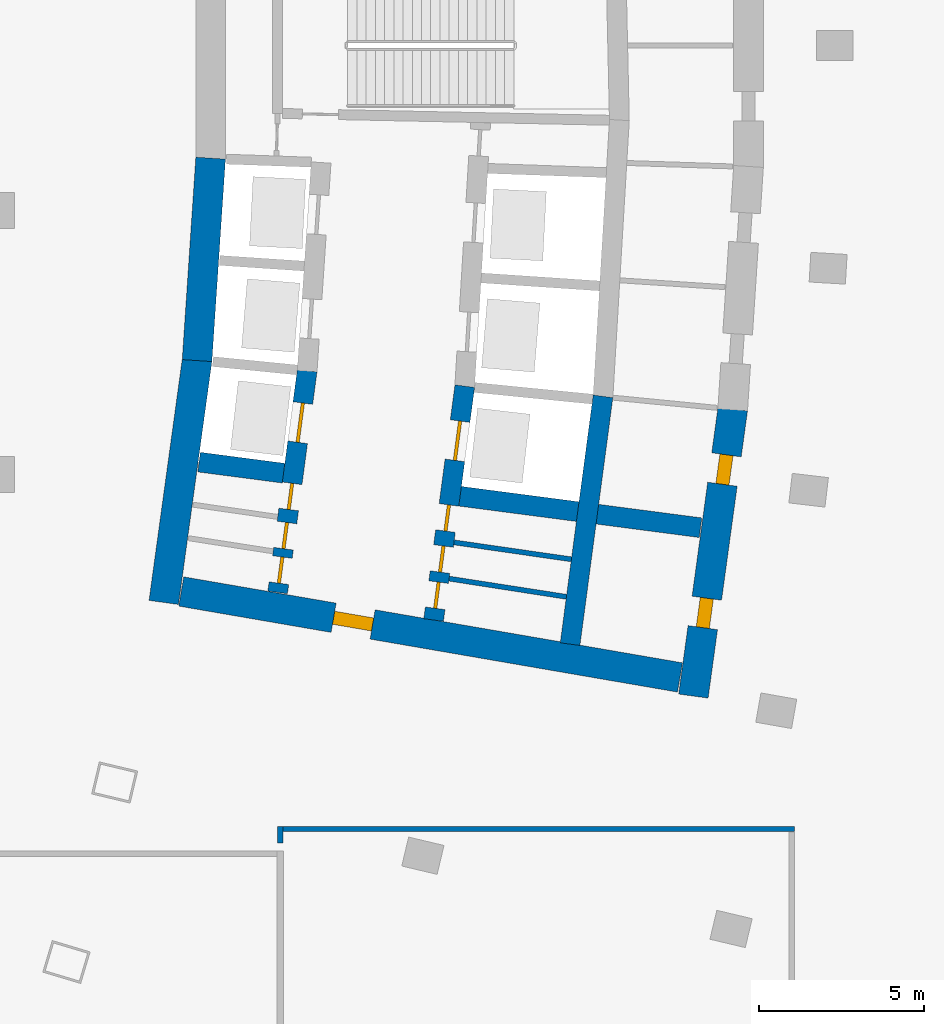
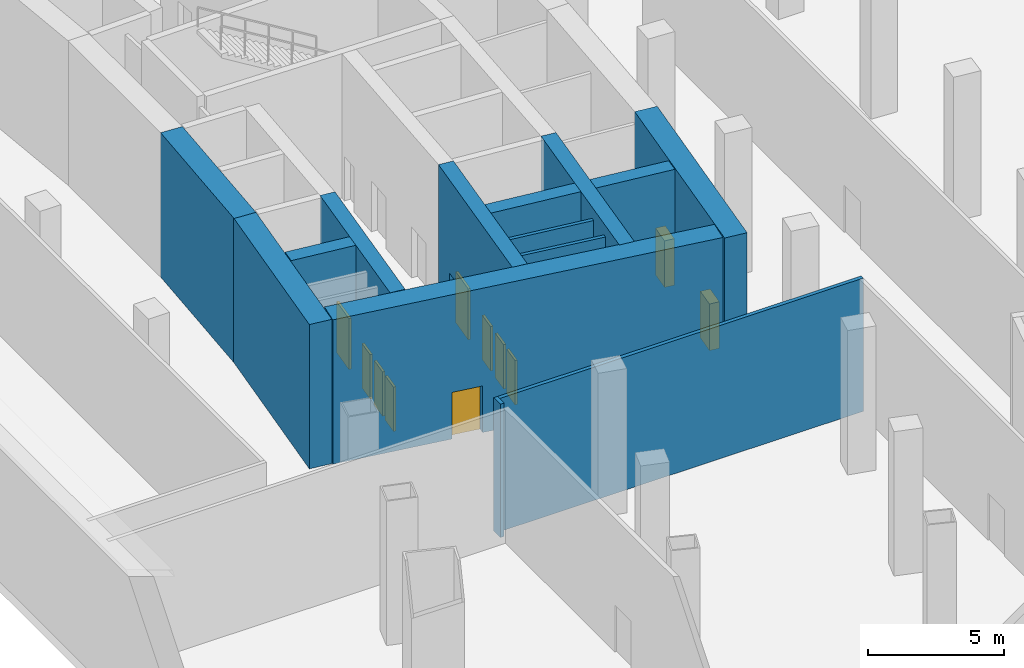
# One storey, part 3 of 16: 14 walls, 11 doors, 11 openings.
"""IFC4 building model written with IfcOpenShell, lengths in metres."""

from ifc_helpers import new_model, si_unit, direction, frame, frame_2d, origin, place, context, subcontext, project, spatial, rectangle, extrude, material, layer, layer_set, type_object, element, fill, save


model = new_model("IFC4")

# Units and contexts
model_context = context("Model", 3, precision=1e-05, world=origin(), true_north=direction((0.0, 1.0)))
body_context = subcontext(model_context, "Body", "Model", "MODEL_VIEW")
ifc_project = project(units=[si_unit("LENGTHUNIT", "METRE"), si_unit("AREAUNIT", "SQUARE_METRE"), si_unit("VOLUMEUNIT", "CUBIC_METRE"), si_unit("PLANEANGLEUNIT", "RADIAN"), si_unit("MASSUNIT", "GRAM", prefix="KILO")], contexts=[model_context])

# Site, building, storey
site_placement = place(None, origin())
site = spatial("IfcSite", under=ifc_project, at=site_placement, CompositionType="ELEMENT")
building_placement = place(site_placement, origin())
building = spatial("IfcBuilding", under=site, at=building_placement, Name="Alderwake Tower", CompositionType="ELEMENT")
storey_placement = place(building_placement, frame((0.0, 0.0, -6.5)))
storey = spatial("IfcBuildingStorey", under=building, at=storey_placement, Name="B1", CompositionType="ELEMENT", Elevation=-6.5)

# Walls
ifc_material_1 = material(Name="Gypsum shaft wall system, rated")
ifc_layer_1 = layer(ifc_material_1, 0.14990234375)
ifc_layer_set_1 = layer_set([ifc_layer_1], Name="Core room partition 150")
wall_type_1 = type_object("IfcWallType", Name="Core room partition 150", PredefinedType="PARTITIONING", material=ifc_layer_set_1)
wall_1_placement = place(storey_placement, frame((24.117431640625, 44.842041015625, 0.0), z_axis=(0.0, 0.0, 1.0), x_axis=(0.988173903359, -0.153337329832, 0.0)))
element("IfcWall", 1, at=wall_1_placement, inside=storey, type_object=wall_type_1, Name="CW/B1/PR-161_+86", PredefinedType="PARTITIONING", context=body_context, shape_type="SweptSolid", body=[
    extrude(rectangle(XDim=3.5966796875, YDim=0.14990234375, at=frame_2d((1.79833984375, 0.0))), origin(), (0.0, 0.0, 1.0), 6.0),
])
wall_2_placement = place(storey_placement, frame((24.263916015625, 45.940673828125, 0.0), z_axis=(0.0, 0.0, 1.0), x_axis=(0.989732412963, -0.142932679013, 0.0)))
element("IfcWall", 2, at=wall_2_placement, inside=storey, type_object=wall_type_1, Name="CW/B1/PR-150_+86", PredefinedType="PARTITIONING", context=body_context, shape_type="SweptSolid", body=[
    extrude(rectangle(XDim=3.595458984375, YDim=0.14990234375, at=frame_2d((1.7978515625, 0.0))), origin(), (0.0, 0.0, 1.0), 6.0),
])
ifc_material_2 = material(Name="Concrete C70/85", Category="concrete")
ifc_layer_2 = layer(ifc_material_2, 0.89990234375)
ifc_layer_set_2 = layer_set([ifc_layer_2], Name="Core wall outer 900 C70-85")
wall_type_2 = type_object("IfcWallType", Name="Core wall outer 900 C70-85", PredefinedType="SHEAR", material=ifc_layer_set_2)
wall_3_placement = place(storey_placement, frame((15.46923828125, 44.1201171875, 0.0), z_axis=(0.0, 0.0, 1.0), x_axis=(0.136337234661, 0.990662484626, 0.0)))
element("IfcWall", 3, at=wall_3_placement, inside=storey, type_object=wall_type_2, Name="Core wall CW.042", PredefinedType="SHEAR", context=body_context, shape_type="SweptSolid", body=[
    extrude(rectangle(XDim=7.431396484375, YDim=0.89990234375, at=frame_2d((3.7158203125, 0.0))), origin(), (0.0, 0.0, 1.0), 6.5),
])
wall_4_placement = place(storey_placement, frame((16.47900390625, 51.449951171875, 0.0), z_axis=(0.0, 0.0, 1.0), x_axis=(0.06689316208, 0.997760143956, 0.0)))
element("IfcWall", 4, at=wall_4_placement, inside=storey, type_object=wall_type_2, Name="Core wall CW.041", PredefinedType="SHEAR", context=body_context, shape_type="SweptSolid", body=[
    extrude(rectangle(XDim=6.149658203125, YDim=0.89990234375, at=frame_2d((3.07470703125, 0.0))), origin(), (0.0, 0.0, 1.0), 6.5),
])

# Wall, openings, doors
wall_5_placement = place(storey_placement, frame((32.7138671875, 49.9873046875, 0.0), z_axis=(0.0, 0.0, 1.0), x_axis=(-0.135844728876, -0.990730139663, 0.0)))
wall_5 = element("IfcWall", 5, at=wall_5_placement, inside=storey, type_object=wall_type_2, Name="Core wall CW.012", PredefinedType="SHEAR", context=body_context, shape_type="SweptSolid", body=[
    extrude(rectangle(XDim=8.78662109375, YDim=0.89990234375, at=frame_2d((4.393310546875, 0.0))), origin(), (0.0, 0.0, 1.0), 6.5),
])
opening_1_placement = place(wall_5_placement, frame((1.40673828125, 0.0, 0.0)))
opening_1 = element("IfcOpeningElement", 6, at=opening_1_placement, cuts=wall_5, Name="Opening C050", PredefinedType="OPENING", context=body_context, shape_type="SweptSolid", body=[
    extrude(rectangle(XDim=0.89990234375, YDim=2.10009765625, at=frame_2d((0.449951171875, 1.050048828125))), frame((0.0, 0.4599609375, 0.0), z_axis=(0.0, -1.0, 0.0), x_axis=(1.0, 0.0, 0.0)), (0.0, 0.0, 1.0), 0.919921875),
])
opening_2_placement = place(wall_5_placement, frame((5.79248046875, 0.0, 0.0)))
opening_2 = element("IfcOpeningElement", 7, at=opening_2_placement, cuts=wall_5, Name="Opening C061", PredefinedType="OPENING", context=body_context, shape_type="SweptSolid", body=[
    extrude(rectangle(XDim=0.89990234375, YDim=2.10009765625, at=frame_2d((0.449951171875, 1.050048828125))), frame((0.0, 0.4599609375, 0.0), z_axis=(0.0, -1.0, 0.0), x_axis=(1.0, 0.0, 0.0)), (0.0, 0.0, 1.0), 0.919921875),
])
ifc_material_3 = material(Name="Painted steel leaf", Category="steel")
door_type_1 = type_object("IfcDoorType", Name="Core room door 900", OperationType="SINGLE_SWING_LEFT", PredefinedType="DOOR", material=ifc_material_3)
door_1_placement = place(opening_1_placement, origin())
door_1 = element("IfcDoor", 8, at=door_1_placement, inside=storey, type_object=door_type_1, Name="Room door", OperationType="SINGLE_SWING_RIGHT", OverallHeight=2.10009765625, OverallWidth=0.89990234375, PredefinedType="DOOR", context=body_context, shape_type="SweptSolid", body=[
    extrude(rectangle(XDim=0.89990234375, YDim=2.10009765625, at=frame_2d((0.449951171875, 1.050048828125))), frame((0.0, 0.199951171875, 0.0), z_axis=(0.0, -1.0, 0.0), x_axis=(1.0, 0.0, 0.0)), (0.0, 0.0, 1.0), 0.39990234375),
])
fill(opening_1, door_1)
door_2_placement = place(opening_2_placement, origin())
door_2 = element("IfcDoor", 9, at=door_2_placement, inside=storey, type_object=door_type_1, Name="Room door", OperationType="SINGLE_SWING_LEFT", OverallHeight=2.10009765625, OverallWidth=0.89990234375, PredefinedType="DOOR", context=body_context, shape_type="SweptSolid", body=[
    extrude(rectangle(XDim=0.89990234375, YDim=2.10009765625, at=frame_2d((0.449951171875, 1.050048828125))), frame((0.0, 0.199951171875, 0.0), z_axis=(0.0, -1.0, 0.0), x_axis=(1.0, 0.0, 0.0)), (0.0, 0.0, 1.0), 0.39990234375),
])
fill(opening_2, door_2)

# Wall, opening, door
wall_6_placement = place(storey_placement, frame((31.11328125, 41.846923828125, 0.0), z_axis=(0.0, 0.0, 1.0), x_axis=(-0.985466640605, 0.169869067972, 0.0)))
wall_6 = element("IfcWall", 10, at=wall_6_placement, inside=storey, type_object=wall_type_2, Name="Core wall CW.070", PredefinedType="SHEAR", context=body_context, shape_type="SweptSolid", body=[
    extrude(rectangle(XDim=15.336669921875, YDim=0.89990234375, at=frame_2d((7.66845703125, 0.0))), origin(), (0.0, 0.0, 1.0), 6.5),
])
opening_3_placement = place(wall_6_placement, frame((9.451904296875, 0.0, 0.0)))
opening_3 = element("IfcOpeningElement", 11, at=opening_3_placement, cuts=wall_6, Name="Opening C003", PredefinedType="OPENING", context=body_context, shape_type="SweptSolid", body=[
    extrude(rectangle(XDim=1.199951171875, YDim=2.10009765625, at=frame_2d((0.60009765625, 1.050048828125))), frame((0.0, 0.4599609375, 0.0), z_axis=(0.0, -1.0, 0.0), x_axis=(1.0, 0.0, 0.0)), (0.0, 0.0, 1.0), 0.919921875),
])
ifc_material_4 = material(Name="Steel-framed fire door leaf", Category="steel")
door_type_2 = type_object("IfcDoorType", Name="Core lobby exit door 1200 fire-rated", OperationType="SINGLE_SWING_LEFT", PredefinedType="DOOR", material=ifc_material_4)
door_3_placement = place(opening_3_placement, origin())
door_3 = element("IfcDoor", 12, at=door_3_placement, inside=storey, type_object=door_type_2, Name="Lobby door", OperationType="SINGLE_SWING_LEFT", OverallHeight=2.10009765625, OverallWidth=1.199951171875, PredefinedType="DOOR", context=body_context, shape_type="SweptSolid", body=[
    extrude(rectangle(XDim=1.199951171875, YDim=2.10009765625, at=frame_2d((0.60009765625, 1.050048828125))), frame((0.0, 0.199951171875, 0.0), z_axis=(0.0, -1.0, 0.0), x_axis=(1.0, 0.0, 0.0)), (0.0, 0.0, 1.0), 0.39990234375),
])
fill(opening_3, door_3)

# Wall, openings, doors
ifc_material_5 = material(Name="Concrete C70/85", Category="concrete")
ifc_layer_3 = layer(ifc_material_5, 0.60009765625)
ifc_layer_set_3 = layer_set([ifc_layer_3], Name="Core wall spine 600 C70-85")
wall_type_3 = type_object("IfcWallType", Name="Core wall spine 600 C70-85", PredefinedType="SHEAR", material=ifc_layer_set_3)
wall_7_placement = place(storey_placement, frame((19.815185546875, 51.14697265625, 0.0), z_axis=(0.0, 0.0, 1.0), x_axis=(-0.131854836214, -0.991269036219, 0.0)))
wall_7 = element("IfcWall", 13, at=wall_7_placement, inside=storey, type_object=wall_type_3, Name="Core wall CW.033", PredefinedType="SHEAR", context=body_context, shape_type="SweptSolid", body=[
    extrude(rectangle(XDim=6.782470703125, YDim=0.60009765625, at=frame_2d((3.39111328125, 0.0))), origin(), (0.0, 0.0, 1.0), 6.5),
])
opening_4_placement = place(wall_7_placement, frame((0.9921875, 0.0, 0.0)))
opening_4 = element("IfcOpeningElement", 14, at=opening_4_placement, cuts=wall_7, Name="Opening LD-LP1", PredefinedType="OPENING", context=body_context, shape_type="SweptSolid", body=[
    extrude(rectangle(XDim=1.199951171875, YDim=2.300048828125, at=frame_2d((0.60009765625, 1.14990234375))), frame((0.0, 0.31005859375, 0.0), z_axis=(0.0, -1.0, 0.0), x_axis=(1.0, 0.0, 0.0)), (0.0, 0.0, 1.0), 0.6201171875),
])
opening_5_placement = place(wall_7_placement, frame((5.699951171875, 0.0, 0.0)))
opening_5 = element("IfcOpeningElement", 15, at=opening_5_placement, cuts=wall_7, Name="Opening C009", PredefinedType="OPENING", context=body_context, shape_type="SweptSolid", body=[
    extrude(rectangle(XDim=0.800048828125, YDim=2.0, at=frame_2d((0.39990234375, 1.0))), frame((0.0, 0.31005859375, 0.0), z_axis=(0.0, -1.0, 0.0), x_axis=(1.0, 0.0, 0.0)), (0.0, 0.0, 1.0), 0.6201171875),
])
opening_6_placement = place(wall_7_placement, frame((4.64501953125, 0.0, 0.0)))
opening_6 = element("IfcOpeningElement", 16, at=opening_6_placement, cuts=wall_7, Name="Opening C011", PredefinedType="OPENING", context=body_context, shape_type="SweptSolid", body=[
    extrude(rectangle(XDim=0.800048828125, YDim=2.0, at=frame_2d((0.39990234375, 1.0))), frame((0.0, 0.31005859375, 0.0), z_axis=(0.0, -1.0, 0.0), x_axis=(1.0, 0.0, 0.0)), (0.0, 0.0, 1.0), 0.6201171875),
])
opening_7_placement = place(wall_7_placement, frame((3.4462890625, 0.0, 0.0)))
opening_7 = element("IfcOpeningElement", 17, at=opening_7_placement, cuts=wall_7, Name="Opening C012", PredefinedType="OPENING", context=body_context, shape_type="SweptSolid", body=[
    extrude(rectangle(XDim=0.800048828125, YDim=2.0, at=frame_2d((0.39990234375, 1.0))), frame((0.0, 0.31005859375, 0.0), z_axis=(0.0, -1.0, 0.0), x_axis=(1.0, 0.0, 0.0)), (0.0, 0.0, 1.0), 0.6201171875),
])
ifc_material_6 = material(Name="Stainless steel sliding leaf", Category="steel")
door_type_3 = type_object("IfcDoorType", Name="Lift landing door 1200", OperationType="SLIDING_TO_LEFT", PredefinedType="DOOR", material=ifc_material_6)
door_4_placement = place(opening_4_placement, origin())
door_4 = element("IfcDoor", 18, at=door_4_placement, inside=storey, type_object=door_type_3, Name="Lift landing door LP1", OperationType="SLIDING_TO_LEFT", OverallHeight=2.300048828125, OverallWidth=1.199951171875, PredefinedType="DOOR", context=body_context, shape_type="SweptSolid", body=[
    extrude(rectangle(XDim=1.199951171875, YDim=2.300048828125, at=frame_2d((0.60009765625, 1.14990234375))), frame((0.0, 0.050048828125, 0.0), z_axis=(0.0, -1.0, 0.0), x_axis=(1.0, 0.0, 0.0)), (0.0, 0.0, 1.0), 0.10009765625),
])
fill(opening_4, door_4)
ifc_material_7 = material(Name="Painted steel leaf, rated", Category="steel")
door_type_4 = type_object("IfcDoorType", Name="Riser access door 800", OperationType="SINGLE_SWING_LEFT", PredefinedType="DOOR", material=ifc_material_7)
door_5_placement = place(opening_5_placement, origin())
door_5 = element("IfcDoor", 19, at=door_5_placement, inside=storey, type_object=door_type_4, Name="Riser access door", OperationType="SINGLE_SWING_LEFT", OverallHeight=2.0, OverallWidth=0.800048828125, PredefinedType="DOOR", context=body_context, shape_type="SweptSolid", body=[
    extrude(rectangle(XDim=0.800048828125, YDim=2.0, at=frame_2d((0.39990234375, 1.0))), frame((0.0, 0.050048828125, 0.0), z_axis=(0.0, -1.0, 0.0), x_axis=(1.0, 0.0, 0.0)), (0.0, 0.0, 1.0), 0.10009765625),
])
fill(opening_5, door_5)
door_6_placement = place(opening_6_placement, origin())
door_6 = element("IfcDoor", 20, at=door_6_placement, inside=storey, type_object=door_type_4, Name="Riser access door", OperationType="SINGLE_SWING_RIGHT", OverallHeight=2.0, OverallWidth=0.800048828125, PredefinedType="DOOR", context=body_context, shape_type="SweptSolid", body=[
    extrude(rectangle(XDim=0.800048828125, YDim=2.0, at=frame_2d((0.39990234375, 1.0))), frame((0.0, 0.050048828125, 0.0), z_axis=(0.0, -1.0, 0.0), x_axis=(1.0, 0.0, 0.0)), (0.0, 0.0, 1.0), 0.10009765625),
])
fill(opening_6, door_6)
door_7_placement = place(opening_7_placement, origin())
door_7 = element("IfcDoor", 21, at=door_7_placement, inside=storey, type_object=door_type_4, Name="Riser access door", OperationType="SINGLE_SWING_LEFT", OverallHeight=2.0, OverallWidth=0.800048828125, PredefinedType="DOOR", context=body_context, shape_type="SweptSolid", body=[
    extrude(rectangle(XDim=0.800048828125, YDim=2.0, at=frame_2d((0.39990234375, 1.0))), frame((0.0, 0.050048828125, 0.0), z_axis=(0.0, -1.0, 0.0), x_axis=(1.0, 0.0, 0.0)), (0.0, 0.0, 1.0), 0.10009765625),
])
fill(opening_7, door_7)

wall_8_placement = place(storey_placement, frame((23.647705078125, 43.588134765625, 0.0), z_axis=(0.0, 0.0, 1.0), x_axis=(0.132069785658, 0.991240420744, 0.0)))
wall_8 = element("IfcWall", 22, at=wall_8_placement, inside=storey, type_object=wall_type_3, Name="Core wall CW.047", PredefinedType="SHEAR", context=body_context, shape_type="SweptSolid", body=[
    extrude(rectangle(XDim=7.150390625, YDim=0.60009765625, at=frame_2d((3.5751953125, 0.0))), origin(), (0.0, 0.0, 1.0), 6.5),
])
opening_8_placement = place(wall_8_placement, frame((4.88134765625, 0.0, 0.0)))
opening_8 = element("IfcOpeningElement", 23, at=opening_8_placement, cuts=wall_8, Name="Opening LD-LP4", PredefinedType="OPENING", context=body_context, shape_type="SweptSolid", body=[
    extrude(rectangle(XDim=1.199951171875, YDim=2.300048828125, at=frame_2d((0.60009765625, 1.14990234375))), frame((0.0, 0.31005859375, 0.0), z_axis=(0.0, -1.0, 0.0), x_axis=(1.0, 0.0, 0.0)), (0.0, 0.0, 1.0), 0.6201171875),
])
opening_9_placement = place(wall_8_placement, frame((0.35791015625, 0.0, 0.0)))
opening_9 = element("IfcOpeningElement", 24, at=opening_9_placement, cuts=wall_8, Name="Opening C016", PredefinedType="OPENING", context=body_context, shape_type="SweptSolid", body=[
    extrude(rectangle(XDim=0.800048828125, YDim=2.0, at=frame_2d((0.39990234375, 1.0))), frame((0.0, 0.31005859375, 0.0), z_axis=(0.0, -1.0, 0.0), x_axis=(1.0, 0.0, 0.0)), (0.0, 0.0, 1.0), 0.6201171875),
])
opening_10_placement = place(wall_8_placement, frame((1.46337890625, 0.0, 0.0)))
opening_10 = element("IfcOpeningElement", 25, at=opening_10_placement, cuts=wall_8, Name="Opening C018", PredefinedType="OPENING", context=body_context, shape_type="SweptSolid", body=[
    extrude(rectangle(XDim=0.800048828125, YDim=2.0, at=frame_2d((0.39990234375, 1.0))), frame((0.0, 0.31005859375, 0.0), z_axis=(0.0, -1.0, 0.0), x_axis=(1.0, 0.0, 0.0)), (0.0, 0.0, 1.0), 0.6201171875),
])
opening_11_placement = place(wall_8_placement, frame((2.719482421875, 0.0, 0.0)))
opening_11 = element("IfcOpeningElement", 26, at=opening_11_placement, cuts=wall_8, Name="Opening C019", PredefinedType="OPENING", context=body_context, shape_type="SweptSolid", body=[
    extrude(rectangle(XDim=0.800048828125, YDim=2.0, at=frame_2d((0.39990234375, 1.0))), frame((0.0, 0.31005859375, 0.0), z_axis=(0.0, -1.0, 0.0), x_axis=(1.0, 0.0, 0.0)), (0.0, 0.0, 1.0), 0.6201171875),
])
door_8_placement = place(opening_8_placement, origin())
door_8 = element("IfcDoor", 27, at=door_8_placement, inside=storey, type_object=door_type_3, Name="Lift landing door LP4", OperationType="SLIDING_TO_LEFT", OverallHeight=2.300048828125, OverallWidth=1.199951171875, PredefinedType="DOOR", context=body_context, shape_type="SweptSolid", body=[
    extrude(rectangle(XDim=1.199951171875, YDim=2.300048828125, at=frame_2d((0.60009765625, 1.14990234375))), frame((0.0, 0.050048828125, 0.0), z_axis=(0.0, -1.0, 0.0), x_axis=(1.0, 0.0, 0.0)), (0.0, 0.0, 1.0), 0.10009765625),
])
fill(opening_8, door_8)
door_9_placement = place(opening_9_placement, origin())
door_9 = element("IfcDoor", 28, at=door_9_placement, inside=storey, type_object=door_type_4, Name="Riser access door", OperationType="SINGLE_SWING_RIGHT", OverallHeight=2.0, OverallWidth=0.800048828125, PredefinedType="DOOR", context=body_context, shape_type="SweptSolid", body=[
    extrude(rectangle(XDim=0.800048828125, YDim=2.0, at=frame_2d((0.39990234375, 1.0))), frame((0.0, 0.050048828125, 0.0), z_axis=(0.0, -1.0, 0.0), x_axis=(1.0, 0.0, 0.0)), (0.0, 0.0, 1.0), 0.10009765625),
])
fill(opening_9, door_9)
door_10_placement = place(opening_10_placement, origin())
door_10 = element("IfcDoor", 29, at=door_10_placement, inside=storey, type_object=door_type_4, Name="Riser access door", OperationType="SINGLE_SWING_LEFT", OverallHeight=2.0, OverallWidth=0.800048828125, PredefinedType="DOOR", context=body_context, shape_type="SweptSolid", body=[
    extrude(rectangle(XDim=0.800048828125, YDim=2.0, at=frame_2d((0.39990234375, 1.0))), frame((0.0, 0.050048828125, 0.0), z_axis=(0.0, -1.0, 0.0), x_axis=(1.0, 0.0, 0.0)), (0.0, 0.0, 1.0), 0.10009765625),
])
fill(opening_10, door_10)
door_11_placement = place(opening_11_placement, origin())
door_11 = element("IfcDoor", 30, at=door_11_placement, inside=storey, type_object=door_type_4, Name="Riser access door", OperationType="SINGLE_SWING_RIGHT", OverallHeight=2.0, OverallWidth=0.800048828125, PredefinedType="DOOR", context=body_context, shape_type="SweptSolid", body=[
    extrude(rectangle(XDim=0.800048828125, YDim=2.0, at=frame_2d((0.39990234375, 1.0))), frame((0.0, 0.050048828125, 0.0), z_axis=(0.0, -1.0, 0.0), x_axis=(1.0, 0.0, 0.0)), (0.0, 0.0, 1.0), 0.10009765625),
])
fill(opening_11, door_11)

# Walls
wall_9_placement = place(storey_placement, frame((27.78369140625, 42.85693359375, 0.0), z_axis=(0.0, 0.0, 1.0), x_axis=(0.131768985664, 0.991280451949, 0.0)))
element("IfcWall", 31, at=wall_9_placement, inside=storey, type_object=wall_type_3, Name="Core wall CW.006", PredefinedType="SHEAR", context=body_context, shape_type="SweptSolid", body=[
    extrude(rectangle(XDim=7.576171875, YDim=0.60009765625, at=frame_2d((3.7880859375, 0.0))), origin(), (0.0, 0.0, 1.0), 6.5),
])
wall_10_placement = place(storey_placement, frame((16.5390625, 48.373291015625, 0.0), z_axis=(0.0, 0.0, 1.0), x_axis=(0.99156081818, -0.129642369037, 0.0)))
element("IfcWall", 32, at=wall_10_placement, inside=storey, type_object=wall_type_3, Name="Core wall CW.067", PredefinedType="SHEAR", context=body_context, shape_type="SweptSolid", body=[
    extrude(rectangle(XDim=2.581787109375, YDim=0.60009765625, at=frame_2d((1.291015625, 0.0))), origin(), (0.0, 0.0, 1.0), 6.5),
])
wall_11_placement = place(storey_placement, frame((24.4501953125, 47.338623046875, 0.0), z_axis=(0.0, 0.0, 1.0), x_axis=(0.99155225032, -0.129707882892, 0.0)))
element("IfcWall", 33, at=wall_11_placement, inside=storey, type_object=wall_type_3, Name="Core wall CW.069", PredefinedType="SHEAR", context=body_context, shape_type="SweptSolid", body=[
    extrude(rectangle(XDim=3.594970703125, YDim=0.60009765625, at=frame_2d((1.79736328125, 0.0))), origin(), (0.0, 0.0, 1.0), 6.5),
])
wall_12_placement = place(storey_placement, frame((28.609619140625, 46.794677734375, 0.0), z_axis=(0.0, 0.0, 1.0), x_axis=(0.991551544298, -0.129713279967, 0.0)))
element("IfcWall", 34, at=wall_12_placement, inside=storey, type_object=wall_type_3, Name="Core wall CW.068", PredefinedType="SHEAR", context=body_context, shape_type="SweptSolid", body=[
    extrude(rectangle(XDim=3.152587890625, YDim=0.60009765625, at=frame_2d((1.576171875, 0.0))), origin(), (0.0, 0.0, 1.0), 6.5),
])
ifc_material_8 = material(Name="Gypsum board on metal studs, rated")
ifc_layer_4 = layer(ifc_material_8, 0.159912109375)
ifc_layer_set_4 = layer_set([ifc_layer_4], Name="Corridor wall 160")
wall_type_4 = type_object("IfcWallType", Name="Corridor wall 160", PredefinedType="PARTITIONING", material=ifc_layer_set_4)
wall_13_placement = place(storey_placement, frame((18.9990234375, 36.834228515625, 0.0), z_axis=(0.0, 0.0, 1.0), x_axis=(0.0, 1.0, 0.0)))
element("IfcWall", 35, at=wall_13_placement, inside=storey, type_object=wall_type_4, Name="WL/B1/W35", PredefinedType="PARTITIONING", context=body_context, shape_type="SweptSolid", body=[
    extrude(rectangle(XDim=0.496826171875, YDim=0.159912109375, at=frame_2d((0.24853515625, 0.0))), origin(), (0.0, 0.0, 1.0), 6.0),
])
wall_14_placement = place(storey_placement, frame((19.0791015625, 37.2509765625, 0.0), z_axis=(0.0, 0.0, 1.0), x_axis=(1.0, 0.0, 0.0)))
element("IfcWall", 36, at=wall_14_placement, inside=storey, type_object=wall_type_4, Name="WL/B1/W36", PredefinedType="PARTITIONING", context=body_context, shape_type="SweptSolid", body=[
    extrude(rectangle(XDim=15.5009765625, YDim=0.159912109375, at=frame_2d((7.75048828125, 0.0))), origin(), (0.0, 0.0, 1.0), 6.0),
])

save(model, "model.ifc")
